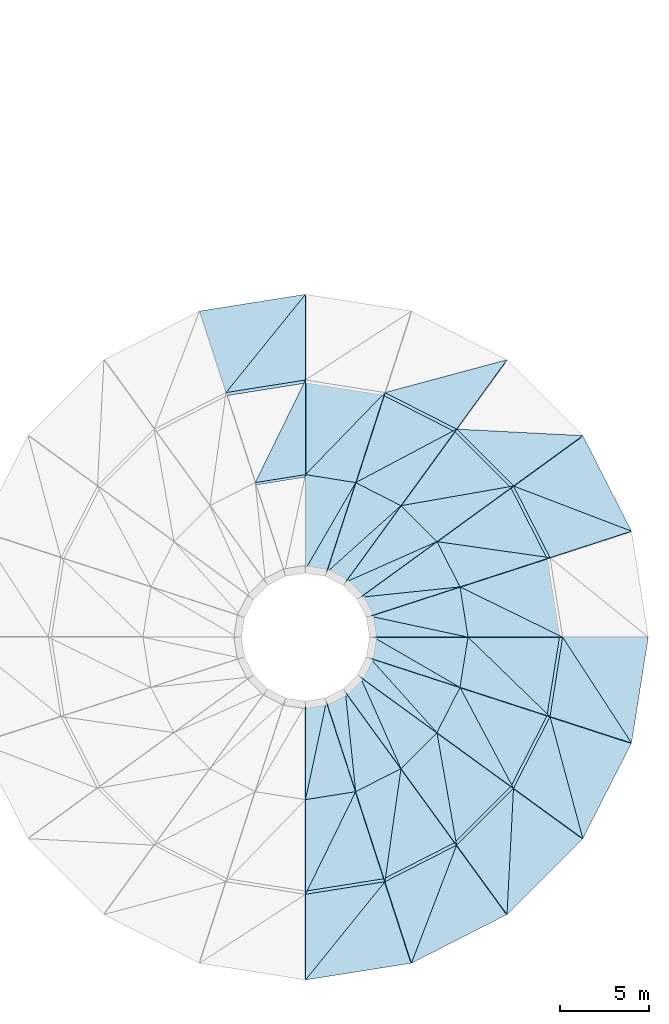
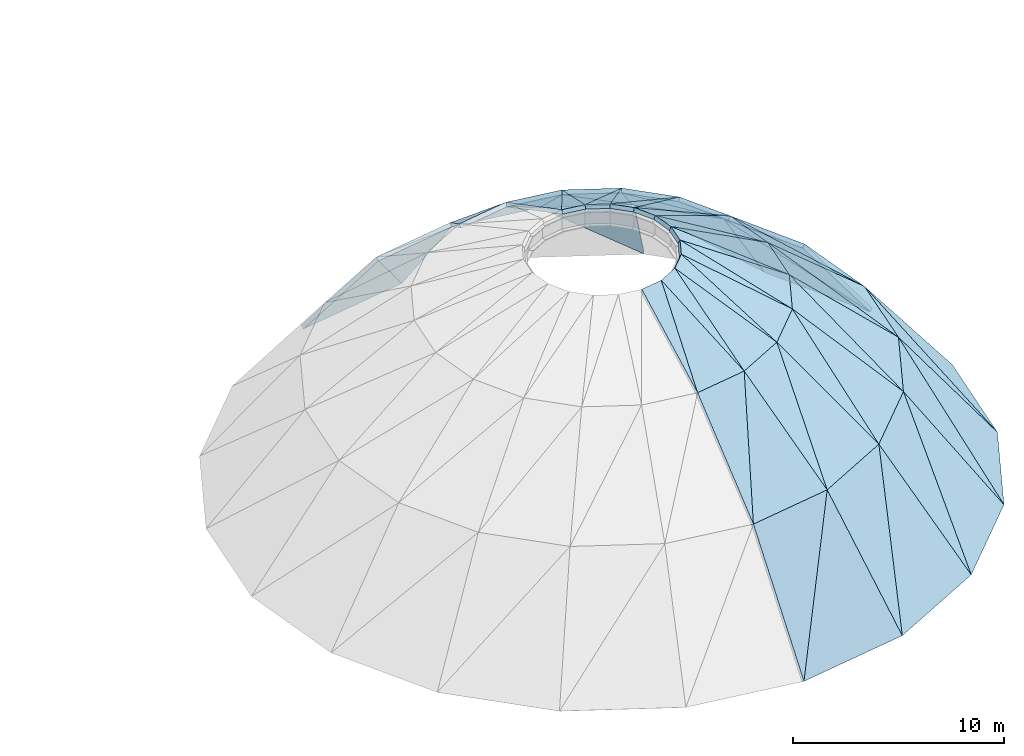
# One storey, part 7 of 9: 57 roofs.
"""IFC4 building model written with IfcOpenShell, lengths in metres."""

from ifc_helpers import new_model, si_unit, direction, frame, origin, place, context, subcontext, project, spatial, polyline, outline, extrude, material, layer, layer_set, type_object, element, save


model = new_model("IFC4")

# Units and contexts
model_context = context("Model", 3, precision=1e-05, world=origin(), true_north=direction((0.0, 1.0)))
body_context = subcontext(model_context, "Body", "Model", "MODEL_VIEW")
ifc_project = project(units=[si_unit("LENGTHUNIT", "METRE"), si_unit("AREAUNIT", "SQUARE_METRE"), si_unit("VOLUMEUNIT", "CUBIC_METRE"), si_unit("PLANEANGLEUNIT", "RADIAN"), si_unit("MASSUNIT", "GRAM", prefix="KILO")], contexts=[model_context])

# Site, building, storey
site_placement = place(None, origin())
site = spatial("IfcSite", under=ifc_project, at=site_placement, CompositionType="ELEMENT")
building_placement = place(site_placement, origin())
building = spatial("IfcBuilding", under=site, at=building_placement, Name="Sefraquen Railside Congress Hotel", CompositionType="ELEMENT")
storey_placement = place(building_placement, frame((0.0, 0.0, 51.60009765625)))
storey = spatial("IfcBuildingStorey", under=building, at=storey_placement, Name="RF", CompositionType="ELEMENT", Elevation=51.60009765625)

# Roofs
ifc_material = material(Name="Verdigris patinated copper over insulated steel deck", Category="steel")
ifc_layer = layer(ifc_material, 0.219970703125)
ifc_layer_set = layer_set([ifc_layer], Name="Verdigris patinated copper over insulated steel deck")
roof_type = type_object("IfcRoofType", Name="TRF-DOME-01", PredefinedType="DOME_ROOF", material=ifc_layer_set)
roof_1_placement = place(storey_placement, frame((78.60009765625, 27.0, -24.280029296875), z_axis=(0.63548964893, 0.100661616178, 0.76551952629), x_axis=(-0.156449541595, 0.987685952585, 0.0)))
element("IfcRoof", 1, at=roof_1_placement, inside=storey, type_object=roof_type, Name="Congress Dome shell gore 01.2A", PredefinedType="DOME_ROOF", context=body_context, shape_type="SweptSolid", body=[
    extrude(outline(polyline([(0.0, 0.0), (4.505184081642572, 1.1102230246251565e-16), (3.6762818148879206, 6.838383197874945), (0.0, 0.0)])), origin(), (0.0, 0.0, -1.0), 0.219970703125),
])
roof_2_placement = place(storey_placement, frame((78.60009765625, 27.0, -24.280029296875), z_axis=(0.635497112149, 0.100693022198, 0.765509200291), x_axis=(-0.740038756813, 0.3621894451, 0.56671107654)))
element("IfcRoof", 2, at=roof_2_placement, inside=storey, type_object=roof_type, Name="Congress Dome shell gore 01.2B", PredefinedType="DOME_ROOF", context=body_context, shape_type="SweptSolid", body=[
    extrude(outline(polyline([(0.0, 0.0), (7.763925086156743, 4.440892098500626e-16), (6.415714939711122, 2.5076403305524986), (0.0, 0.0)])), origin(), (0.0, 0.0, -1.0), 0.219970703125),
])
roof_3_placement = place(storey_placement, frame((73.300048828125, 27.0, -19.880126953125), z_axis=(0.463256082619, 0.073401836324, 0.883179467798), x_axis=(-0.156495365065, 0.987678693054, 0.0)))
element("IfcRoof", 3, at=roof_3_placement, inside=storey, type_object=roof_type, Name="Congress Dome shell gore 01.3A", PredefinedType="DOME_ROOF", context=body_context, shape_type="SweptSolid", body=[
    extrude(outline(polyline([(0.0, 0.0), (2.8470916083597246, 0.0), (2.018394009271394, 5.927122828187759), (0.0, 0.0)])), origin(), (0.0, 0.0, -1.0), 0.219970703125),
])
roof_4_placement = place(storey_placement, frame((73.300048828125, 27.0, -19.880126953125), z_axis=(0.463254301932, 0.07338872725, 0.883181491231), x_axis=(-0.876180105018, 0.187549566336, 0.443997278975)))
element("IfcRoof", 4, at=roof_4_placement, inside=storey, type_object=roof_type, Name="Congress Dome shell gore 01.3B", PredefinedType="DOME_ROOF", context=body_context, shape_type="SweptSolid", body=[
    extrude(outline(polyline([(0.0, 0.0), (6.261365617585919, 5.551115123125783e-17), (5.8781227821121265, 1.1255012351867433), (0.0, 0.0)])), origin(), (0.0, 0.0, -1.0), 0.219970703125),
])
roof_5_placement = place(storey_placement, frame((82.460205078125, 32.93310546875, -30.47998046875), z_axis=(0.707796775693, 0.360629931327, 0.607428824595), x_axis=(-0.453979967137, 0.891011890739, 0.0)))
element("IfcRoof", 5, at=roof_5_placement, inside=storey, type_object=roof_type, Name="Congress Dome shell gore 02.1A", PredefinedType="DOME_ROOF", context=body_context, shape_type="SweptSolid", body=[
    extrude(outline(polyline([(0.0, 0.0), (6.0069848421854, -2.220446049250313e-16), (5.256123501342936, 7.804825347969129), (0.0, 0.0)])), origin(), (0.0, 0.0, -1.0), 0.219970703125),
])
roof_6_placement = place(storey_placement, frame((82.460205078125, 32.93310546875, -30.47998046875), z_axis=(0.707796371111, 0.36063479883, 0.607426406172), x_axis=(-0.70250523921, 0.268978867443, 0.658890550662)))
element("IfcRoof", 6, at=roof_6_placement, inside=storey, type_object=roof_type, Name="Congress Dome shell gore 02.1B", PredefinedType="DOME_ROOF", context=body_context, shape_type="SweptSolid", body=[
    extrude(outline(polyline([(0.0, 0.0), (9.409682936936344, 0.0), (6.892981664606156, 3.737025457755235), (0.0, 0.0)])), origin(), (0.0, 0.0, -1.0), 0.219970703125),
])
roof_7_placement = place(storey_placement, frame((77.895263671875, 31.44970703125, -24.280029296875), z_axis=(0.573295599504, 0.292104271279, 0.765511103962), x_axis=(-0.453985037746, 0.891009307192, 0.0)))
element("IfcRoof", 7, at=roof_7_placement, inside=storey, type_object=roof_type, Name="Congress Dome shell gore 02.2A", PredefinedType="DOME_ROOF", context=body_context, shape_type="SweptSolid", body=[
    extrude(outline(polyline([(0.0, 0.0), (4.505457198338378, 0.0), (3.676370396131278, 6.838276697761843), (0.0, 0.0)])), origin(), (0.0, 0.0, -1.0), 0.219970703125),
])
roof_8_placement = place(storey_placement, frame((77.895263671875, 31.44970703125, -24.280029296875), z_axis=(0.573297310251, 0.292083145074, 0.765517883803), x_axis=(-0.81573356081, 0.115814606394, 0.566714861914)))
element("IfcRoof", 8, at=roof_8_placement, inside=storey, type_object=roof_type, Name="Congress Dome shell gore 02.2B", PredefinedType="DOME_ROOF", context=body_context, shape_type="SweptSolid", body=[
    extrude(outline(polyline([(0.0, 0.0), (7.763873226985552, -2.220446049250313e-16), (6.415747483341606, 2.5077376176157666), (0.0, 0.0)])), origin(), (0.0, 0.0, -1.0), 0.219970703125),
])
roof_9_placement = place(storey_placement, frame((72.8544921875, 29.81201171875, -19.880126953125), z_axis=(0.417932385137, 0.212927922906, 0.883172814969), x_axis=(-0.453957894775, 0.891023136496, 0.0)))
element("IfcRoof", 9, at=roof_9_placement, inside=storey, type_object=roof_type, Name="Congress Dome shell gore 02.3A", PredefinedType="DOME_ROOF", context=body_context, shape_type="SweptSolid", body=[
    extrude(outline(polyline([(0.0, 0.0), (2.8471373306324272, -2.220446049250313e-16), (2.0177802325743848, 5.9269645324100075), (0.0, 0.0)])), origin(), (0.0, 0.0, -1.0), 0.219970703125),
])
roof_10_placement = place(storey_placement, frame((72.8544921875, 29.81201171875, -19.880126953125), z_axis=(0.417942459347, 0.21287228282, 0.883181460336), x_axis=(-0.891241357101, -0.092376215216, 0.444021934429)))
element("IfcRoof", 10, at=roof_10_placement, inside=storey, type_object=roof_type, Name="Congress Dome shell gore 02.3B", PredefinedType="DOME_ROOF", context=body_context, shape_type="SweptSolid", body=[
    extrude(outline(polyline([(0.0, 0.0), (6.261017939234332, 0.0), (5.878004511164817, 1.1254277843936795), (0.0, 0.0)])), origin(), (0.0, 0.0, -1.0), 0.219970703125),
])
roof_11_placement = place(storey_placement, frame((79.733154296875, 38.285400390625, -30.47998046875), z_axis=(0.561707971665, 0.561707971665, 0.607427616376), x_axis=(-0.751247915488, 0.03873642334, 0.658882431836)))
element("IfcRoof", 11, at=roof_11_placement, inside=storey, type_object=roof_type, Name="Congress Dome shell gore 03.1B", PredefinedType="DOME_ROOF", context=body_context, shape_type="SweptSolid", body=[
    extrude(outline(polyline([(0.0, 0.0), (9.409798884147927, 4.440892098500626e-16), (6.893073875024568, 3.7369270823668703), (0.0, 0.0)])), origin(), (0.0, 0.0, -1.0), 0.219970703125),
])
roof_12_placement = place(storey_placement, frame((75.849853515625, 35.464111328125, -24.280029296875), z_axis=(0.454969122378, 0.454969122378, 0.76551041493), x_axis=(-0.707106781187, 0.707106781187, 0.0)))
element("IfcRoof", 12, at=roof_12_placement, inside=storey, type_object=roof_type, Name="Congress Dome shell gore 03.2A", PredefinedType="DOME_ROOF", context=body_context, shape_type="SweptSolid", body=[
    extrude(outline(polyline([(0.0, 0.0), (4.505388861183232, 0.0), (3.676230201505745, 6.8382679852305035), (0.0, 0.0)])), origin(), (0.0, 0.0, -1.0), 0.219970703125),
])
roof_13_placement = place(storey_placement, frame((75.849853515625, 35.464111328125, -24.280029296875), z_axis=(0.454969122378, 0.454969122378, 0.76551041493), x_axis=(-0.811590466689, -0.141947358155, 0.566720267762)))
element("IfcRoof", 13, at=roof_13_placement, inside=storey, type_object=roof_type, Name="Congress Dome shell gore 03.2B", PredefinedType="DOME_ROOF", context=body_context, shape_type="SweptSolid", body=[
    extrude(outline(polyline([(0.0, 0.0), (7.763799168724769, -6.661338147750939e-16), (6.4156846489572885, 2.5076689585909104), (0.0, 0.0)])), origin(), (0.0, 0.0, -1.0), 0.219970703125),
])
roof_14_placement = place(storey_placement, frame((71.56201171875, 32.348876953125, -19.880126953125), z_axis=(0.331655398617, 0.331655398617, 0.883181404433), x_axis=(-0.707106781187, 0.707106781187, 0.0)))
element("IfcRoof", 14, at=roof_14_placement, inside=storey, type_object=roof_type, Name="Congress Dome shell gore 03.3A", PredefinedType="DOME_ROOF", context=body_context, shape_type="SweptSolid", body=[
    extrude(outline(polyline([(0.0, 0.0), (2.8470715418282575, 0.0), (2.01791288215077, 5.9271689105993115), (0.0, 0.0)])), origin(), (0.0, 0.0, -1.0), 0.219970703125),
])
roof_15_placement = place(storey_placement, frame((71.56201171875, 32.348876953125, -19.880126953125), z_axis=(0.331621719341, 0.331718037005, 0.883170526675), x_axis=(-0.819071999822, -0.363291146451, 0.444005182423)))
element("IfcRoof", 15, at=roof_15_placement, inside=storey, type_object=roof_type, Name="Congress Dome shell gore 03.3B", PredefinedType="DOME_ROOF", context=body_context, shape_type="SweptSolid", body=[
    extrude(outline(polyline([(0.0, 0.0), (6.261254163083068, 2.220446049250313e-16), (5.87793566939229, 1.1254394835046713), (0.0, 0.0)])), origin(), (0.0, 0.0, -1.0), 0.219970703125),
])
roof_16_placement = place(storey_placement, frame((75.485595703125, 42.533203125, -30.47998046875), z_axis=(0.36064762255, 0.707778492476, 0.607439624932), x_axis=(-0.726445688487, -0.195317087858, 0.658883826534)))
element("IfcRoof", 16, at=roof_16_placement, inside=storey, type_object=roof_type, Name="Congress Dome shell gore 04.1B", PredefinedType="DOME_ROOF", context=body_context, shape_type="SweptSolid", body=[
    extrude(outline(polyline([(0.0, 0.0), (9.409778965868462, 0.0), (6.893213182656292, 3.7368544427206936), (0.0, 0.0)])), origin(), (0.0, 0.0, -1.0), 0.219970703125),
])
roof_17_placement = place(storey_placement, frame((72.6640625, 38.64990234375, -24.280029296875), z_axis=(0.292116206127, 0.57328415626, 0.765515119576), x_axis=(-0.890998138155, 0.45400695788, 0.0)))
element("IfcRoof", 17, at=roof_17_placement, inside=storey, type_object=roof_type, Name="Congress Dome shell gore 04.2A", PredefinedType="DOME_ROOF", context=body_context, shape_type="SweptSolid", body=[
    extrude(outline(polyline([(0.0, 0.0), (4.5052396681326154, 0.0), (3.675877815445684, 6.838327474325653), (0.0, 0.0)])), origin(), (0.0, 0.0, -1.0), 0.219970703125),
])
roof_18_placement = place(storey_placement, frame((72.6640625, 38.64990234375, -24.280029296875), z_axis=(0.292108895656, 0.573292675834, 0.765511528923), x_axis=(-0.727986217361, -0.385816971957, 0.566728622431)))
element("IfcRoof", 18, at=roof_18_placement, inside=storey, type_object=roof_type, Name="Congress Dome shell gore 04.2B", PredefinedType="DOME_ROOF", context=body_context, shape_type="SweptSolid", body=[
    extrude(outline(polyline([(0.0, 0.0), (7.763684715404329, 0.0), (6.415720421253841, 2.5075774359036345), (0.0, 0.0)])), origin(), (0.0, 0.0, -1.0), 0.219970703125),
])
roof_19_placement = place(storey_placement, frame((69.548828125, 34.362060546875, -19.880126953125), z_axis=(0.212937345024, 0.417910656365, 0.883180825421), x_axis=(-0.891005463403, 0.453992581642, 0.0)))
element("IfcRoof", 19, at=roof_19_placement, inside=storey, type_object=roof_type, Name="Congress Dome shell gore 04.3A", PredefinedType="DOME_ROOF", context=body_context, shape_type="SweptSolid", body=[
    extrude(outline(polyline([(0.0, 0.0), (2.8469197978442713, 0.0), (2.0179707776779967, 5.927155132830888), (0.0, 0.0)])), origin(), (0.0, 0.0, -1.0), 0.219970703125),
])
roof_20_placement = place(storey_placement, frame((69.548828125, 34.362060546875, -19.880126953125), z_axis=(0.212947465241, 0.417900973171, 0.883182967267), x_axis=(-0.666728532882, -0.59860906701, 0.444004784135)))
element("IfcRoof", 20, at=roof_20_placement, inside=storey, type_object=roof_type, Name="Congress Dome shell gore 04.3B", PredefinedType="DOME_ROOF", context=body_context, shape_type="SweptSolid", body=[
    extrude(outline(polyline([(0.0, 0.0), (6.2612597796454565, -6.661338147750939e-16), (5.878102929788177, 1.1254960348703256), (0.0, 0.0)])), origin(), (0.0, 0.0, -1.0), 0.219970703125),
])
roof_21_placement = place(storey_placement, frame((68.64990234375, 40.6953125, -24.280029296875), z_axis=(0.100625841389, 0.63551878413, 0.765500042497), x_axis=(-0.987695650418, 0.156388305651, 0.0)))
element("IfcRoof", 21, at=roof_21_placement, inside=storey, type_object=roof_type, Name="Congress Dome shell gore 05.2A", PredefinedType="DOME_ROOF", context=body_context, shape_type="SweptSolid", body=[
    extrude(outline(polyline([(0.0, 0.0), (4.505387028878577, 0.0), (3.676559553517241, 6.838136835152532), (0.0, 0.0)])), origin(), (0.0, 0.0, -1.0), 0.219970703125),
])
roof_22_placement = place(storey_placement, frame((68.64990234375, 40.6953125, -24.280029296875), z_axis=(0.10068226428, 0.635484384788, 0.765521180863), x_axis=(-0.573163717187, -0.591874004767, 0.566717315583)))
element("IfcRoof", 22, at=roof_22_placement, inside=storey, type_object=roof_type, Name="Congress Dome shell gore 05.2B", PredefinedType="DOME_ROOF", context=body_context, shape_type="SweptSolid", body=[
    extrude(outline(polyline([(0.0, 0.0), (7.763839612384377, 4.440892098500626e-16), (6.415669983582347, 2.507935882467863), (0.0, 0.0)])), origin(), (0.0, 0.0, -1.0), 0.219970703125),
])
roof_23_placement = place(storey_placement, frame((67.01220703125, 35.654541015625, -19.880126953125), z_axis=(0.073395147194, 0.463254082478, 0.883181072847), x_axis=(-0.987680792895, 0.156482111905, 0.0)))
element("IfcRoof", 23, at=roof_23_placement, inside=storey, type_object=roof_type, Name="Congress Dome shell gore 05.3A", PredefinedType="DOME_ROOF", context=body_context, shape_type="SweptSolid", body=[
    extrude(outline(polyline([(0.0, 0.0), (2.8473327411094855, 0.0), (2.0179699072849857, 5.927161020409611), (0.0, 0.0)])), origin(), (0.0, 0.0, -1.0), 0.219970703125),
])
roof_24_placement = place(storey_placement, frame((67.01220703125, 35.654541015625, -19.880126953125), z_axis=(0.073389150468, 0.463256973425, 0.883180054783), x_axis=(-0.449151381837, -0.775321301887, 0.444004408801)))
element("IfcRoof", 24, at=roof_24_placement, inside=storey, type_object=roof_type, Name="Congress Dome shell gore 05.3B", PredefinedType="DOME_ROOF", context=body_context, shape_type="SweptSolid", body=[
    extrude(outline(polyline([(0.0, 0.0), (6.261265072536928, 1.6653345369377348e-16), (5.878056255496921, 1.1255128181818619), (0.0, 0.0)])), origin(), (0.0, 0.0, -1.0), 0.219970703125),
])
roof_25_placement = place(storey_placement, frame((64.199951171875, 46.199951171875, -30.47998046875), z_axis=(-0.124266449447, 0.784599442574, 0.607422064347), x_axis=(-0.987688709007, -0.156432138959, 0.0)))
element("IfcRoof", 25, at=roof_25_placement, inside=storey, type_object=roof_type, Name="Congress Dome shell gore 06.1A", PredefinedType="DOME_ROOF", context=body_context, shape_type="SweptSolid", body=[
    extrude(outline(polyline([(0.0, 0.0), (6.007060134070098, 0.0), (5.25602779479198, 7.804774559579911), (0.0, 0.0)])), origin(), (0.0, 0.0, -1.0), 0.219970703125),
])
roof_26_placement = place(storey_placement, frame((64.199951171875, 46.199951171875, -30.47998046875), z_axis=(-0.124236453959, 0.784592380409, 0.607437321962), x_axis=(-0.472890772521, -0.585003195876, 0.658897243946)))
element("IfcRoof", 26, at=roof_26_placement, inside=storey, type_object=roof_type, Name="Congress Dome shell gore 06.1B", PredefinedType="DOME_ROOF", context=body_context, shape_type="SweptSolid", body=[
    extrude(outline(polyline([(0.0, 0.0), (9.409587350436343, -4.440892098500626e-16), (6.893174644562022, 3.7368444716880593), (0.0, 0.0)])), origin(), (0.0, 0.0, -1.0), 0.219970703125),
])
roof_27_placement = place(storey_placement, frame((64.199951171875, 41.39990234375, -24.280029296875), z_axis=(-0.100695740314, 0.635514266812, 0.765494601262), x_axis=(-0.362197873689, -0.740024532169, 0.566724264597)))
element("IfcRoof", 27, at=roof_27_placement, inside=storey, type_object=roof_type, Name="Congress Dome shell gore 06.2B", PredefinedType="DOME_ROOF", context=body_context, shape_type="SweptSolid", body=[
    extrude(outline(polyline([(0.0, 0.0), (7.763744414368516, 2.220446049250313e-16), (6.4155169045149645, 2.507630995195755), (0.0, 0.0)])), origin(), (0.0, 0.0, -1.0), 0.219970703125),
])
roof_28_placement = place(storey_placement, frame((64.199951171875, 7.800048828125, -30.47998046875), z_axis=(0.124266818808, -0.784601774659, 0.607418976445), x_axis=(0.987688709007, 0.156432138959, 0.0)))
element("IfcRoof", 28, at=roof_28_placement, inside=storey, type_object=roof_type, Name="Congress Dome shell gore 16.1A", PredefinedType="DOME_ROOF", context=body_context, shape_type="SweptSolid", body=[
    extrude(outline(polyline([(0.0, 0.0), (6.007060134070098, 0.0), (5.256268929730703, 7.804751361315445), (0.0, 0.0)])), origin(), (0.0, 0.0, -1.0), 0.219970703125),
])
roof_29_placement = place(storey_placement, frame((64.199951171875, 7.800048828125, -30.47998046875), z_axis=(0.124229743088, -0.784593044787, 0.607437836329), x_axis=(0.472910915915, 0.584996018057, 0.658889159469)))
element("IfcRoof", 29, at=roof_29_placement, inside=storey, type_object=roof_type, Name="Congress Dome shell gore 16.1B", PredefinedType="DOME_ROOF", context=body_context, shape_type="SweptSolid", body=[
    extrude(outline(polyline([(0.0, 0.0), (9.409702804744029, -4.440892098500626e-16), (6.893090067320545, 3.737000482984343), (0.0, 0.0)])), origin(), (0.0, 0.0, -1.0), 0.219970703125),
])
roof_30_placement = place(storey_placement, frame((64.199951171875, 12.60009765625, -24.280029296875), z_axis=(0.100622795188, -0.635499545353, 0.76551641455), x_axis=(0.987695650418, 0.156388305651, 0.0)))
element("IfcRoof", 30, at=roof_30_placement, inside=storey, type_object=roof_type, Name="Congress Dome shell gore 16.2A", PredefinedType="DOME_ROOF", context=body_context, shape_type="SweptSolid", body=[
    extrude(outline(polyline([(0.0, 0.0), (4.505387028878577, 0.0), (3.676160203628839, 6.838343849288043), (0.0, 0.0)])), origin(), (0.0, 0.0, -1.0), 0.219970703125),
])
roof_31_placement = place(storey_placement, frame((64.199951171875, 12.60009765625, -24.280029296875), z_axis=(0.100687087231, -0.635514826201, 0.765495275063), x_axis=(0.362225194121, 0.740016103243, 0.566717809571)))
element("IfcRoof", 31, at=roof_31_placement, inside=storey, type_object=roof_type, Name="Congress Dome shell gore 16.2B", PredefinedType="DOME_ROOF", context=body_context, shape_type="SweptSolid", body=[
    extrude(outline(polyline([(0.0, 0.0), (7.763832844918806, 0.0), (6.41544383136906, 2.507817937317699), (0.0, 0.0)])), origin(), (0.0, 0.0, -1.0), 0.219970703125),
])
roof_32_placement = place(storey_placement, frame((64.199951171875, 17.89990234375, -19.880126953125), z_axis=(0.073395323932, -0.463255198011, 0.88318047303), x_axis=(0.987680792895, 0.156482111905, 0.0)))
element("IfcRoof", 32, at=roof_32_placement, inside=storey, type_object=roof_type, Name="Congress Dome shell gore 16.3A", PredefinedType="DOME_ROOF", context=body_context, shape_type="SweptSolid", body=[
    extrude(outline(polyline([(0.0, 0.0), (2.8473327411094855, 5.551115123125783e-17), (2.0183237671977166, 5.927146747622495), (0.0, 0.0)])), origin(), (0.0, 0.0, -1.0), 0.219970703125),
])
roof_33_placement = place(storey_placement, frame((64.199951171875, 17.89990234375, -19.880126953125), z_axis=(0.07338872725, -0.463254301932, 0.883181491231), x_axis=(0.187549566336, 0.876180105018, 0.443997278975)))
element("IfcRoof", 33, at=roof_33_placement, inside=storey, type_object=roof_type, Name="Congress Dome shell gore 16.3B", PredefinedType="DOME_ROOF", context=body_context, shape_type="SweptSolid", body=[
    extrude(outline(polyline([(0.0, 0.0), (6.261365617585919, 5.551115123125783e-17), (5.8781227821121265, 1.1255012351867433), (0.0, 0.0)])), origin(), (0.0, 0.0, -1.0), 0.219970703125),
])
roof_34_placement = place(storey_placement, frame((70.133056640625, 8.73974609375, -30.47998046875), z_axis=(0.360614150447, -0.707798087234, 0.60743666518), x_axis=(0.891020266674, 0.453963527584, 0.0)))
element("IfcRoof", 34, at=roof_34_placement, inside=storey, type_object=roof_type, Name="Congress Dome shell gore 17.1A", PredefinedType="DOME_ROOF", context=body_context, shape_type="SweptSolid", body=[
    extrude(outline(polyline([(0.0, 0.0), (6.0072023754077595, -2.220446049250313e-16), (5.256036029655262, 7.804884254659816), (0.0, 0.0)])), origin(), (0.0, 0.0, -1.0), 0.219970703125),
])
roof_35_placement = place(storey_placement, frame((70.133056640625, 8.73974609375, -30.47998046875), z_axis=(0.360655841244, -0.707794621834, 0.607415950959), x_axis=(0.268978867443, 0.70250523921, 0.658890550662)))
element("IfcRoof", 35, at=roof_35_placement, inside=storey, type_object=roof_type, Name="Congress Dome shell gore 17.1B", PredefinedType="DOME_ROOF", context=body_context, shape_type="SweptSolid", body=[
    extrude(outline(polyline([(0.0, 0.0), (9.409682936936344, 0.0), (6.893047333274965, 3.7368074215431015), (0.0, 0.0)])), origin(), (0.0, 0.0, -1.0), 0.219970703125),
])
roof_36_placement = place(storey_placement, frame((68.64990234375, 13.3046875, -24.280029296875), z_axis=(0.292117708241, -0.57328710419, 0.7655123387), x_axis=(0.890998138155, 0.45400695788, 0.0)))
element("IfcRoof", 36, at=roof_36_placement, inside=storey, type_object=roof_type, Name="Congress Dome shell gore 17.2A", PredefinedType="DOME_ROOF", context=body_context, shape_type="SweptSolid", body=[
    extrude(outline(polyline([(0.0, 0.0), (4.5052396681326154, 0.0), (3.6762816501606252, 6.838292310598207), (0.0, 0.0)])), origin(), (0.0, 0.0, -1.0), 0.219970703125),
])
roof_37_placement = place(storey_placement, frame((68.64990234375, 13.3046875, -24.280029296875), z_axis=(0.292106518642, -0.573288010708, 0.765515929649), x_axis=(0.115783582281, 0.815736531222, 0.56671692555)))
element("IfcRoof", 37, at=roof_37_placement, inside=storey, type_object=roof_type, Name="Congress Dome shell gore 17.2B", PredefinedType="DOME_ROOF", context=body_context, shape_type="SweptSolid", body=[
    extrude(outline(polyline([(0.0, 0.0), (7.763844955722281, 0.0), (6.415822344347546, 2.5075460862325363), (0.0, 0.0)])), origin(), (0.0, 0.0, -1.0), 0.219970703125),
])
roof_38_placement = place(storey_placement, frame((67.01220703125, 18.345458984375, -19.880126953125), z_axis=(0.212936266215, -0.417908539097, 0.883182087386), x_axis=(0.891005463403, 0.453992581642, 0.0)))
element("IfcRoof", 38, at=roof_38_placement, inside=storey, type_object=roof_type, Name="Congress Dome shell gore 17.3A", PredefinedType="DOME_ROOF", context=body_context, shape_type="SweptSolid", body=[
    extrude(outline(polyline([(0.0, 0.0), (2.8469197978442713, -2.220446049250313e-16), (2.0178773169719806, 5.9271851618286995), (0.0, 0.0)])), origin(), (0.0, 0.0, -1.0), 0.219970703125),
])
roof_39_placement = place(storey_placement, frame((67.01220703125, 18.345458984375, -19.880126953125), z_axis=(0.21295004862, -0.41790604295, 0.883179945458), x_axis=(-0.092411664458, 0.891246166462, 0.444004904296)))
element("IfcRoof", 39, at=roof_39_placement, inside=storey, type_object=roof_type, Name="Congress Dome shell gore 17.3B", PredefinedType="DOME_ROOF", context=body_context, shape_type="SweptSolid", body=[
    extrude(outline(polyline([(0.0, 0.0), (6.2612580851576745, 1.1102230246251565e-16), (5.878062025107811, 1.125482685634764), (0.0, 0.0)])), origin(), (0.0, 0.0, -1.0), 0.219970703125),
])
roof_40_placement = place(storey_placement, frame((75.485595703125, 11.466796875, -30.47998046875), z_axis=(0.561723170476, -0.561690885679, 0.607429361075), x_axis=(0.707086459982, 0.707127101807, 0.0)))
element("IfcRoof", 40, at=roof_40_placement, inside=storey, type_object=roof_type, Name="Congress Dome shell gore 18.1A", PredefinedType="DOME_ROOF", context=body_context, shape_type="SweptSolid", body=[
    extrude(outline(polyline([(0.0, 0.0), (6.007127606227723, 0.0), (5.256308161891489, 7.804829378498917), (0.0, 0.0)])), origin(), (0.0, 0.0, -1.0), 0.219970703125),
])
roof_41_placement = place(storey_placement, frame((75.485595703125, 11.466796875, -30.47998046875), z_axis=(0.561700424799, -0.561700424799, 0.607441573784), x_axis=(0.038710516872, 0.751248670263, 0.658883093812)))
element("IfcRoof", 41, at=roof_41_placement, inside=storey, type_object=roof_type, Name="Congress Dome shell gore 18.1B", PredefinedType="DOME_ROOF", context=body_context, shape_type="SweptSolid", body=[
    extrude(outline(polyline([(0.0, 0.0), (9.409789430175731, 8.881784197001252e-16), (6.893144549089988, 3.736981045306341), (0.0, 0.0)])), origin(), (0.0, 0.0, -1.0), 0.219970703125),
])
roof_42_placement = place(storey_placement, frame((72.6640625, 15.35009765625, -24.280029296875), z_axis=(0.454969122378, -0.454969122378, 0.76551041493), x_axis=(0.707106781187, 0.707106781187, 0.0)))
element("IfcRoof", 42, at=roof_42_placement, inside=storey, type_object=roof_type, Name="Congress Dome shell gore 18.2A", PredefinedType="DOME_ROOF", context=body_context, shape_type="SweptSolid", body=[
    extrude(outline(polyline([(0.0, 0.0), (4.505388861183232, 0.0), (3.676230201505745, 6.8382679852305035), (0.0, 0.0)])), origin(), (0.0, 0.0, -1.0), 0.219970703125),
])
roof_43_placement = place(storey_placement, frame((72.6640625, 15.35009765625, -24.280029296875), z_axis=(0.454969122378, -0.454969122378, 0.76551041493), x_axis=(-0.141947358155, 0.811590466689, 0.566720267762)))
element("IfcRoof", 43, at=roof_43_placement, inside=storey, type_object=roof_type, Name="Congress Dome shell gore 18.2B", PredefinedType="DOME_ROOF", context=body_context, shape_type="SweptSolid", body=[
    extrude(outline(polyline([(0.0, 0.0), (7.763799168724769, -6.661338147750939e-16), (6.4156846489572885, 2.5076689585909104), (0.0, 0.0)])), origin(), (0.0, 0.0, -1.0), 0.219970703125),
])
roof_44_placement = place(storey_placement, frame((69.548828125, 19.637939453125, -19.880126953125), z_axis=(0.331663930097, -0.331663930097, 0.883174996785), x_axis=(0.707106781187, 0.707106781187, 0.0)))
element("IfcRoof", 44, at=roof_44_placement, inside=storey, type_object=roof_type, Name="Congress Dome shell gore 18.3A", PredefinedType="DOME_ROOF", context=body_context, shape_type="SweptSolid", body=[
    extrude(outline(polyline([(0.0, 0.0), (2.8470715418282575, 0.0), (2.018085515642271, 5.9270164444629145), (0.0, 0.0)])), origin(), (0.0, 0.0, -1.0), 0.219970703125),
])
roof_45_placement = place(storey_placement, frame((69.548828125, 19.637939453125, -19.880126953125), z_axis=(0.331601292344, -0.331697604076, 0.883185870791), x_axis=(-0.363257299664, 0.819083602054, 0.444011471798)))
element("IfcRoof", 45, at=roof_45_placement, inside=storey, type_object=roof_type, Name="Congress Dome shell gore 18.3B", PredefinedType="DOME_ROOF", context=body_context, shape_type="SweptSolid", body=[
    extrude(outline(polyline([(0.0, 0.0), (6.261165473087174, -5.551115123125783e-16), (5.878097430648329, 1.125524754724967), (0.0, 0.0)])), origin(), (0.0, 0.0, -1.0), 0.219970703125),
])
roof_46_placement = place(storey_placement, frame((79.733154296875, 15.714599609375, -30.47998046875), z_axis=(0.707798188091, -0.360630650959, 0.607426751571), x_axis=(0.453979967137, 0.891011890739, 0.0)))
element("IfcRoof", 46, at=roof_46_placement, inside=storey, type_object=roof_type, Name="Congress Dome shell gore 19.1A", PredefinedType="DOME_ROOF", context=body_context, shape_type="SweptSolid", body=[
    extrude(outline(polyline([(0.0, 0.0), (6.0069848421854, 0.0), (5.256318539107886, 7.80480977359034), (0.0, 0.0)])), origin(), (0.0, 0.0, -1.0), 0.219970703125),
])
roof_47_placement = place(storey_placement, frame((79.733154296875, 15.714599609375, -30.47998046875), z_axis=(0.707794488011, -0.360633839358, 0.60742917007), x_axis=(-0.195317087858, 0.726445688487, 0.658883826534)))
element("IfcRoof", 47, at=roof_47_placement, inside=storey, type_object=roof_type, Name="Congress Dome shell gore 19.1B", PredefinedType="DOME_ROOF", context=body_context, shape_type="SweptSolid", body=[
    extrude(outline(polyline([(0.0, 0.0), (9.409778965868462, 0.0), (6.893035827751876, 3.7369972628839574), (0.0, 0.0)])), origin(), (0.0, 0.0, -1.0), 0.219970703125),
])
roof_48_placement = place(storey_placement, frame((75.849853515625, 18.535888671875, -24.280029296875), z_axis=(0.573290033277, -0.292101435188, 0.765516354695), x_axis=(0.453985037746, 0.891009307192, 0.0)))
element("IfcRoof", 48, at=roof_48_placement, inside=storey, type_object=roof_type, Name="Congress Dome shell gore 19.2A", PredefinedType="DOME_ROOF", context=body_context, shape_type="SweptSolid", body=[
    extrude(outline(polyline([(0.0, 0.0), (4.505457198338378, 0.0), (3.6762241315184703, 6.83834309242391), (0.0, 0.0)])), origin(), (0.0, 0.0, -1.0), 0.219970703125),
])
roof_49_placement = place(storey_placement, frame((75.849853515625, 18.535888671875, -24.280029296875), z_axis=(0.573306118672, -0.292087632783, 0.765509574772), x_axis=(-0.385808139712, 0.728000997837, 0.566715648699)))
element("IfcRoof", 49, at=roof_49_placement, inside=storey, type_object=roof_type, Name="Congress Dome shell gore 19.2B", PredefinedType="DOME_ROOF", context=body_context, shape_type="SweptSolid", body=[
    extrude(outline(polyline([(0.0, 0.0), (7.763862448218705, -2.220446049250313e-16), (6.415671511477051, 2.507702569597998), (0.0, 0.0)])), origin(), (0.0, 0.0, -1.0), 0.219970703125),
])
roof_50_placement = place(storey_placement, frame((71.56201171875, 21.651123046875, -19.880126953125), z_axis=(0.417923837966, -0.212923568299, 0.88317790944), x_axis=(0.453957894775, 0.891023136496, 0.0)))
element("IfcRoof", 50, at=roof_50_placement, inside=storey, type_object=roof_type, Name="Congress Dome shell gore 19.3A", PredefinedType="DOME_ROOF", context=body_context, shape_type="SweptSolid", body=[
    extrude(outline(polyline([(0.0, 0.0), (2.8471373306324272, 0.0), (2.0181745630750285, 5.927085747748448), (0.0, 0.0)])), origin(), (0.0, 0.0, -1.0), 0.219970703125),
])
roof_51_placement = place(storey_placement, frame((71.56201171875, 21.651123046875, -19.880126953125), z_axis=(0.417962930447, -0.212882709447, 0.883169259423), x_axis=(-0.59860906701, 0.666728532882, 0.444004784135)))
element("IfcRoof", 51, at=roof_51_placement, inside=storey, type_object=roof_type, Name="Congress Dome shell gore 19.3B", PredefinedType="DOME_ROOF", context=body_context, shape_type="SweptSolid", body=[
    extrude(outline(polyline([(0.0, 0.0), (6.2612597796454565, 1.1102230246251565e-16), (5.877956784996426, 1.1253291955067697), (0.0, 0.0)])), origin(), (0.0, 0.0, -1.0), 0.219970703125),
])
roof_52_placement = place(storey_placement, frame((82.460205078125, 21.06689453125, -30.47998046875), z_axis=(0.784604289726, -0.124267217149, 0.60741564623), x_axis=(0.156432138959, 0.987688709007, 0.0)))
element("IfcRoof", 52, at=roof_52_placement, inside=storey, type_object=roof_type, Name="Congress Dome shell gore 20.1A", PredefinedType="DOME_ROOF", context=body_context, shape_type="SweptSolid", body=[
    extrude(outline(polyline([(0.0, 0.0), (6.007060134070098, -1.1102230246251565e-16), (5.2562164202213735, 7.804726343002361), (0.0, 0.0)])), origin(), (0.0, 0.0, -1.0), 0.219970703125),
])
roof_53_placement = place(storey_placement, frame((82.460205078125, 21.06689453125, -30.47998046875), z_axis=(0.784596444937, -0.124280145755, 0.607423134201), x_axis=(-0.410228468148, 0.630533946804, 0.65889266641)))
element("IfcRoof", 53, at=roof_53_placement, inside=storey, type_object=roof_type, Name="Congress Dome shell gore 20.1B", PredefinedType="DOME_ROOF", context=body_context, shape_type="SweptSolid", body=[
    extrude(outline(polyline([(0.0, 0.0), (9.409652721825594, -8.881784197001252e-16), (6.893104350997426, 3.7367991525860367), (0.0, 0.0)])), origin(), (0.0, 0.0, -1.0), 0.219970703125),
])
roof_54_placement = place(storey_placement, frame((77.895263671875, 22.55029296875, -24.280029296875), z_axis=(0.635499045895, -0.100663104658, 0.76551152965), x_axis=(0.156449541595, 0.987685952585, 0.0)))
element("IfcRoof", 54, at=roof_54_placement, inside=storey, type_object=roof_type, Name="Congress Dome shell gore 20.2A", PredefinedType="DOME_ROOF", context=body_context, shape_type="SweptSolid", body=[
    extrude(outline(polyline([(0.0, 0.0), (4.505184081642572, 0.0), (3.6759938720502063, 6.83828208041772), (0.0, 0.0)])), origin(), (0.0, 0.0, -1.0), 0.219970703125),
])
roof_55_placement = place(storey_placement, frame((77.895263671875, 22.55029296875, -24.280029296875), z_axis=(0.635482242678, -0.100690666165, 0.765521854024), x_axis=(-0.591884672479, 0.573142601243, 0.566727529881)))
element("IfcRoof", 55, at=roof_55_placement, inside=storey, type_object=roof_type, Name="Congress Dome shell gore 20.2B", PredefinedType="DOME_ROOF", context=body_context, shape_type="SweptSolid", body=[
    extrude(outline(polyline([(0.0, 0.0), (7.763699682413841, -2.220446049250313e-16), (6.415734117510111, 2.507771812232152), (0.0, 0.0)])), origin(), (0.0, 0.0, -1.0), 0.219970703125),
])
roof_56_placement = place(storey_placement, frame((72.8544921875, 24.18798828125, -19.880126953125), z_axis=(0.46325386581, -0.073401485076, 0.883180659775), x_axis=(0.156495365065, 0.987678693054, 0.0)))
element("IfcRoof", 56, at=roof_56_placement, inside=storey, type_object=roof_type, Name="Congress Dome shell gore 20.3A", PredefinedType="DOME_ROOF", context=body_context, shape_type="SweptSolid", body=[
    extrude(outline(polyline([(0.0, 0.0), (2.8470916083597246, 5.551115123125783e-17), (2.0176585321376566, 5.927151191260544), (0.0, 0.0)])), origin(), (0.0, 0.0, -1.0), 0.219970703125),
])
roof_57_placement = place(storey_placement, frame((72.8544921875, 24.18798828125, -19.880126953125), z_axis=(0.463259610338, -0.073389568207, 0.883178636918), x_axis=(-0.775334880174, 0.449120254971, 0.444012184698)))
element("IfcRoof", 57, at=roof_57_placement, inside=storey, type_object=roof_type, Name="Congress Dome shell gore 20.3B", PredefinedType="DOME_ROOF", context=body_context, shape_type="SweptSolid", body=[
    extrude(outline(polyline([(0.0, 0.0), (6.261155420237479, -2.220446049250313e-16), (5.877985682025099, 1.125526122783089), (0.0, 0.0)])), origin(), (0.0, 0.0, -1.0), 0.219970703125),
])

save(model, "model.ifc")
